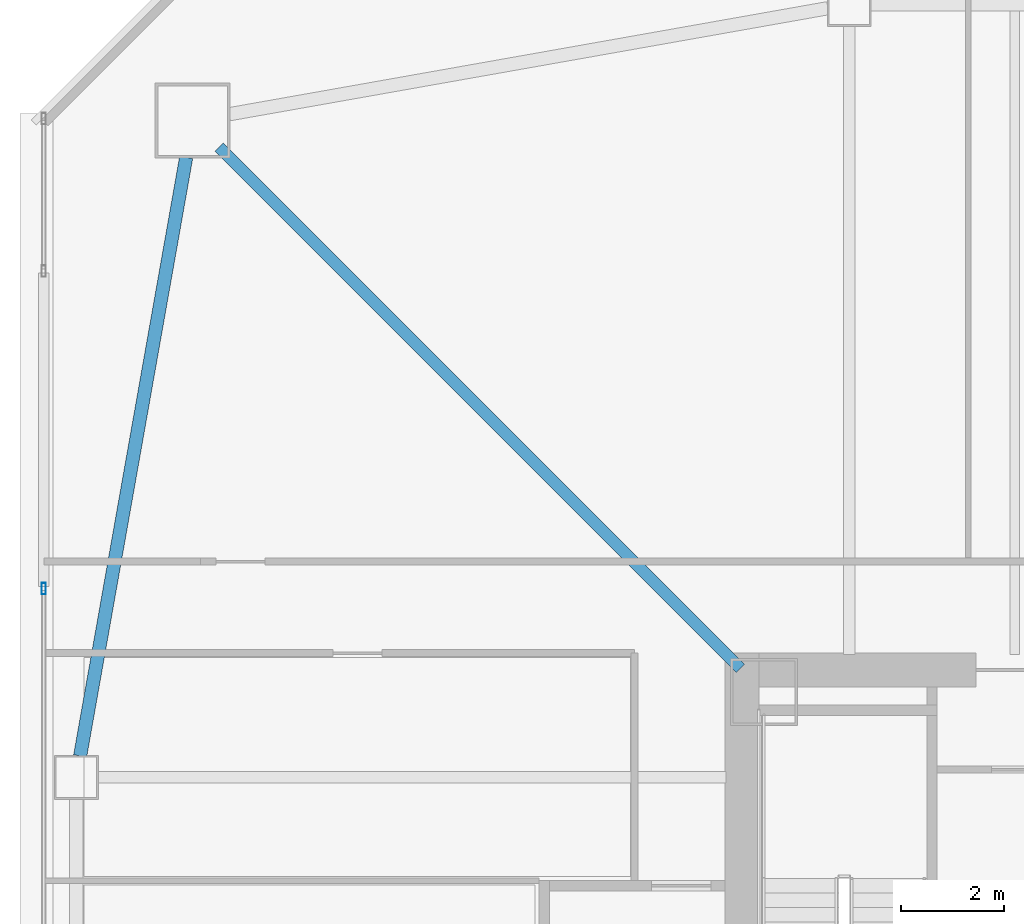
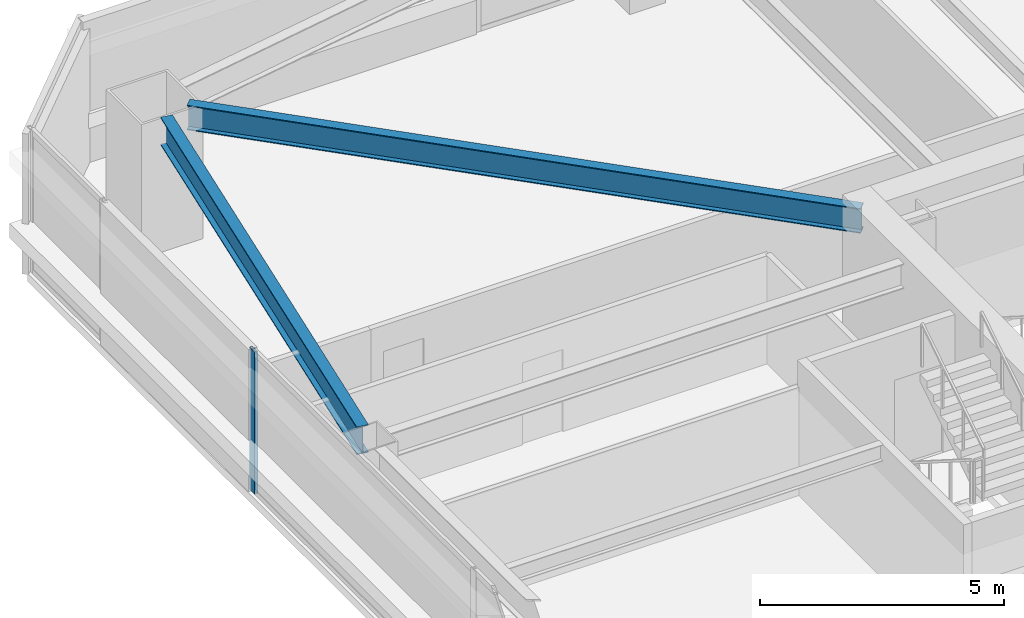
# One storey, part 12 of 48: 2 beams, 1 member, 1 element without a shape of its own.
"""IFC4 building model written with IfcOpenShell, lengths in metres."""

from ifc_helpers import new_model, si_unit, direction, frame, origin, origin_2d, place, context, subcontext, project, spatial, hollow_rectangle, i_section, extrude, material, material_profile, profile_set, type_object, element, aggregate, save


model = new_model("IFC4")

# Units and contexts
model_context = context("Model", 3, precision=1e-05, world=origin(), true_north=direction((0.0, 1.0)))
body_context = subcontext(model_context, "Body", "Model", "MODEL_VIEW")
ifc_project = project(units=[si_unit("LENGTHUNIT", "METRE"), si_unit("AREAUNIT", "SQUARE_METRE"), si_unit("VOLUMEUNIT", "CUBIC_METRE"), si_unit("PLANEANGLEUNIT", "RADIAN"), si_unit("MASSUNIT", "GRAM", prefix="KILO")], contexts=[model_context])

# Site, building, storey
site_placement = place(None, origin())
site = spatial("IfcSite", under=ifc_project, at=site_placement, CompositionType="ELEMENT")
building_placement = place(site_placement, origin())
building = spatial("IfcBuilding", under=site, at=building_placement, Name="Tashvorn Skyway Center", CompositionType="ELEMENT")
storey_placement = place(building_placement, frame((0.0, 0.0, 77.85009765625)))
storey = spatial("IfcBuildingStorey", under=building, at=storey_placement, Name="L20", CompositionType="ELEMENT", Elevation=77.85009765625)

# Beams
ifc_material_1 = material(Name="Steel ASTM A992 Grade 50", Category="steel")
ifc_material_profile_1 = material_profile(ifc_material_1, i_section(OverallWidth=0.22998046875, OverallDepth=0.616943359375, WebThickness=0.01318359375, FlangeThickness=0.022216796875, at=origin_2d()), Name="W24X94")
ifc_profile_set_1 = profile_set([ifc_material_profile_1], Name="Steel ASTM A992 Grade 50")
beam_type_1 = type_object("IfcBeamType", Name="BM-BEAM-W24X94", PredefinedType="BEAM", material=ifc_profile_set_1)
beam_1_placement = place(storey_placement, frame((24.4091796875, 49.5908203125, 3.04150390625), z_axis=(0.707106781187, -0.707106781187, 0.0), x_axis=(0.707106781187, 0.707106781187, 0.0)))
element("IfcBeam", 1, at=beam_1_placement, inside=storey, type_object=beam_type_1, Name="Tower 1 L20 Primary Floor Girder MC-NW", PredefinedType="BEAM", context=body_context, shape_type="SweptSolid", body=[
    extrude(i_section(OverallWidth=0.22998046875, OverallDepth=0.616943359375, WebThickness=0.01318359375, FlangeThickness=0.022216796875, at=origin_2d()), origin(), (0.0, 0.0, 1.0), 14.261962890625),
])
ifc_material_profile_2 = material_profile(ifc_material_1, i_section(OverallWidth=0.256103515625, OverallDepth=0.693115234375, WebThickness=0.014404296875, FlangeThickness=0.023681640625, at=origin_2d()), Name="W27X114")
ifc_profile_set_2 = profile_set([ifc_material_profile_2], Name="Steel ASTM A992 Grade 50")
beam_type_2 = type_object("IfcBeamType", Name="BM-SPANDREL-W27X114", PredefinedType="SPANDREL", material=ifc_profile_set_2)
beam_2_placement = place(storey_placement, frame((23.7744140625, 49.39111328125, 3.00341796875), z_axis=(-0.174437966698, -0.98466816531, 0.0), x_axis=(0.98466816531, -0.174437966698, 0.0)))
element("IfcBeam", 2, at=beam_2_placement, inside=storey, type_object=beam_type_2, Name="Tower 1 L20 Spandrel Beam 10", PredefinedType="SPANDREL", context=body_context, shape_type="SweptSolid", body=[
    extrude(i_section(OverallWidth=0.256103515625, OverallDepth=0.693115234375, WebThickness=0.014404296875, FlangeThickness=0.023681640625, at=origin_2d()), origin(), (0.0, 0.0, 1.0), 11.7578125),
])

# Curtain wall, member
ifc_material_2 = material(Name="Thermally broken bronze-anodized aluminium 6063-T6", Category="aluminium")
curtain_wall_type = type_object("IfcCurtainWallType", Name="CW-CW-Z2", PredefinedType="NOTDEFINED", material=ifc_material_2)
curtain_wall_placement = place(storey_placement, origin())
curtain_wall = element("IfcCurtainWall", 3, at=curtain_wall_placement, inside=storey, type_object=curtain_wall_type, Name="Tower 1 L20 West Unitised Curtain Wall Glazing Group 2", PredefinedType="NOTDEFINED")
ifc_material_profile_3 = material_profile(ifc_material_2, hollow_rectangle(XDim=0.080078125, YDim=0.219970703125, WallThickness=0.0048828125, at=origin_2d()), Name="ALU-MULL-80x220")
ifc_profile_set_3 = profile_set([ifc_material_profile_3], Name="Thermally broken bronze-anodized aluminium 6063-T6")
member_type = type_object("IfcMemberType", Name="CWM-CW-Z2", PredefinedType="MULLION", material=ifc_profile_set_3)
member_placement = place(storey_placement, frame((21.02001953125, 41.050048828125, 0.0), z_axis=(0.0, 0.0, 1.0), x_axis=(-1.0, 0.0, 0.0)))
member = element("IfcMember", 4, at=member_placement, type_object=member_type, Name="CW-Z2 mullion 3", PredefinedType="MULLION", context=body_context, shape_type="SweptSolid", body=[
    extrude(hollow_rectangle(XDim=0.080078125, YDim=0.219970703125, WallThickness=0.0048828125, at=origin_2d()), origin(), (0.0, 0.0, 1.0), 3.5498046875),
])
aggregate(curtain_wall, [member])

save(model, "model.ifc")
